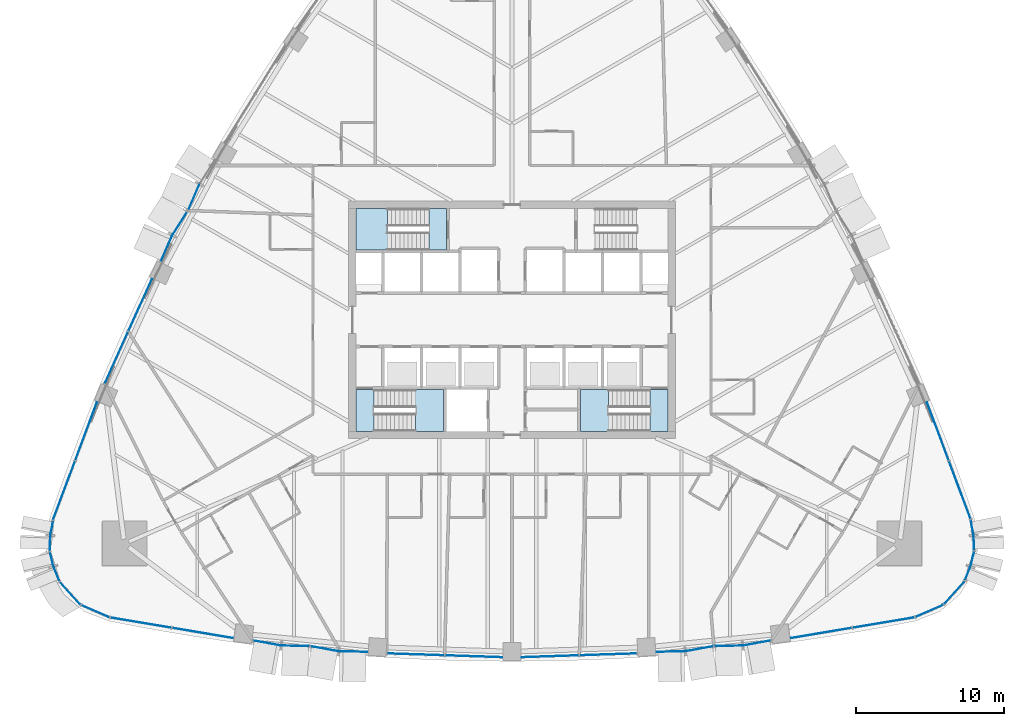
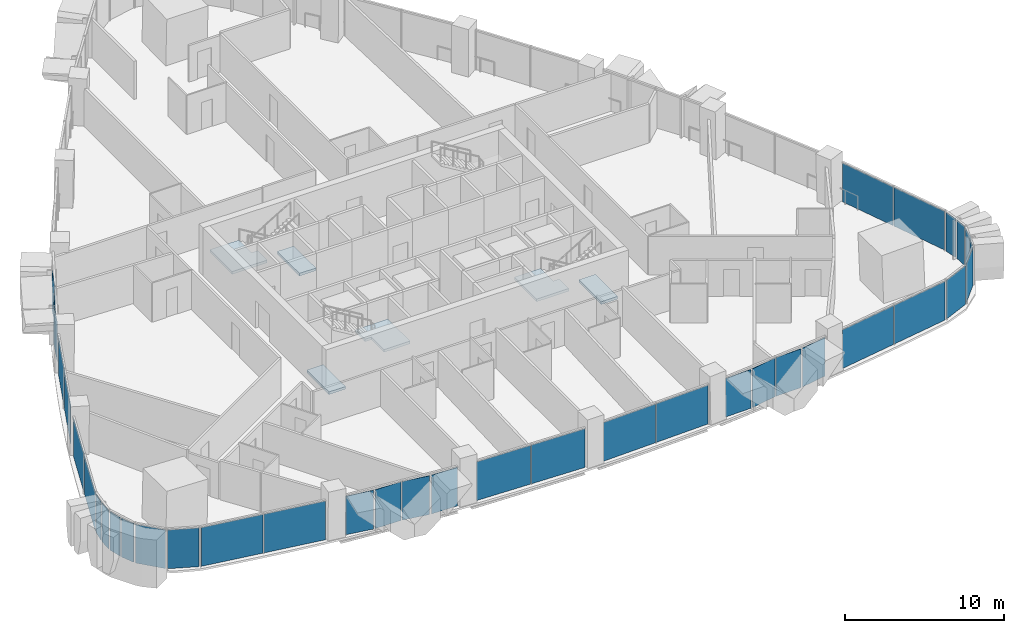
# One storey, part 8 of 18: 37 plates, 6 slabs, 21 elements without a shape of their own.
"""IFC4 building model written with IfcOpenShell, lengths in metres."""

from ifc_helpers import new_model, si_unit, direction, frame, origin, origin_2d, place, context, subcontext, project, spatial, polyline, rectangle, outline, extrude, material, layer, layer_set, type_object, element, aggregate, save


model = new_model("IFC4")

# Units and contexts
model_context = context("Model", 3, precision=1e-05, world=origin(), true_north=direction((0.0, 1.0)))
body_context = subcontext(model_context, "Body", "Model", "MODEL_VIEW")
ifc_project = project(units=[si_unit("LENGTHUNIT", "METRE"), si_unit("AREAUNIT", "SQUARE_METRE"), si_unit("VOLUMEUNIT", "CUBIC_METRE"), si_unit("PLANEANGLEUNIT", "RADIAN"), si_unit("MASSUNIT", "GRAM", prefix="KILO")], contexts=[model_context])

# Site, building, storey
site_placement = place(None, origin())
site = spatial("IfcSite", under=ifc_project, at=site_placement, CompositionType="ELEMENT")
building_placement = place(site_placement, origin())
building = spatial("IfcBuilding", under=site, at=building_placement, Name="Sierra Prisma Convention Tower", CompositionType="ELEMENT")
storey_placement = place(building_placement, frame((0.0, 0.0, 85.0)))
storey = spatial("IfcBuildingStorey", under=building, at=storey_placement, Name="L17", CompositionType="ELEMENT", Elevation=85.0)

# Curtain wall, plates
ifc_material_1 = material(Name="Aluminium and glass curtain wall", Category="aluminium")
ifc_layer_1 = layer(ifc_material_1, 0.179931640625)
ifc_layer_set_1 = layer_set([ifc_layer_1], Name="CW-1 Plain shaft curtain wall")
curtain_wall_type_1 = type_object("IfcCurtainWallType", Name="CW-1 Plain shaft curtain wall", PredefinedType="NOTDEFINED", material=ifc_layer_set_1)
curtain_wall_1_placement = place(storey_placement, origin())
curtain_wall_1 = element("IfcCurtainWall", 1, at=curtain_wall_1_placement, inside=storey, type_object=curtain_wall_type_1, Name="CW-1 S1 L17", PredefinedType="NOTDEFINED")
ifc_material_2 = material(Name="Tinted glass bronze-grey IGU", Category="glass")
ifc_layer_2 = layer(ifc_material_2, 0.028076171875)
ifc_layer_set_2 = layer_set([ifc_layer_2], Name="CW-1 glass panel")
plate_type_1 = type_object("IfcPlateType", Name="CW-1 glass panel", PredefinedType="CURTAIN_PANEL", material=ifc_layer_set_2)
plate_1_placement = place(storey_placement, frame((-25.000244140625, -20.392822265625, 0.0), z_axis=(0.0, 0.0, 1.0), x_axis=(0.98626859495, -0.165149201073, 0.0)))
plate_1 = element("IfcPlate", 2, at=plate_1_placement, type_object=plate_type_1, Name="CW-1 panel S1.1", PredefinedType="CURTAIN_PANEL", context=body_context, shape_type="SweptSolid", body=[
    extrude(rectangle(XDim=4.142822265625, YDim=0.028076171875, at=origin_2d()), origin(), (0.0, 0.0, 1.0), 2.97998046875),
])
plate_2_placement = place(storey_placement, frame((-20.84521484375, -21.088623046875, 0.0), z_axis=(0.0, 0.0, 1.0), x_axis=(0.98626859495, -0.165149201073, 0.0)))
plate_2 = element("IfcPlate", 3, at=plate_2_placement, type_object=plate_type_1, Name="CW-1 panel S1.2", PredefinedType="CURTAIN_PANEL", context=body_context, shape_type="SweptSolid", body=[
    extrude(rectangle(XDim=4.142822265625, YDim=0.028076171875, at=origin_2d()), origin(), (0.0, 0.0, 1.0), 2.97998046875),
])
aggregate(curtain_wall_1, [plate_1, plate_2])

curtain_wall_2_placement = place(storey_placement, origin())
curtain_wall_2 = element("IfcCurtainWall", 4, at=curtain_wall_2_placement, inside=storey, type_object=curtain_wall_type_1, Name="CW-1 S3 L17", PredefinedType="NOTDEFINED")
plate_3_placement = place(storey_placement, frame((-6.490966796875, -22.53173828125, 0.0), z_axis=(0.0, 0.0, 1.0), x_axis=(0.999449532675, -0.033175768817, 0.0)))
plate_3 = element("IfcPlate", 5, at=plate_3_placement, type_object=plate_type_1, Name="CW-1 panel S3.1", PredefinedType="CURTAIN_PANEL", context=body_context, shape_type="SweptSolid", body=[
    extrude(rectangle(XDim=3.83642578125, YDim=0.028076171875, at=origin_2d()), origin(), (0.0, 0.0, 1.0), 2.97998046875),
])
plate_4_placement = place(storey_placement, frame((-2.586669921875, -22.661376953125, 0.0), z_axis=(0.0, 0.0, 1.0), x_axis=(0.999449532675, -0.033175768817, 0.0)))
plate_4 = element("IfcPlate", 6, at=plate_4_placement, type_object=plate_type_1, Name="CW-1 panel S3.2", PredefinedType="CURTAIN_PANEL", context=body_context, shape_type="SweptSolid", body=[
    extrude(rectangle(XDim=3.83642578125, YDim=0.028076171875, at=origin_2d()), origin(), (0.0, 0.0, 1.0), 2.97998046875),
])
aggregate(curtain_wall_2, [plate_3, plate_4])

curtain_wall_3_placement = place(storey_placement, origin())
curtain_wall_3 = element("IfcCurtainWall", 7, at=curtain_wall_3_placement, inside=storey, type_object=curtain_wall_type_1, Name="CW-1 S4 L17", PredefinedType="NOTDEFINED")
plate_5_placement = place(storey_placement, frame((2.586669921875, -22.661376953125, 0.0), z_axis=(0.0, 0.0, 1.0), x_axis=(0.999449532675, 0.033175768817, 0.0)))
plate_5 = element("IfcPlate", 8, at=plate_5_placement, type_object=plate_type_1, Name="CW-1 panel S4.1", PredefinedType="CURTAIN_PANEL", context=body_context, shape_type="SweptSolid", body=[
    extrude(rectangle(XDim=3.83642578125, YDim=0.028076171875, at=origin_2d()), origin(), (0.0, 0.0, 1.0), 2.97998046875),
])
plate_6_placement = place(storey_placement, frame((6.490966796875, -22.53173828125, 0.0), z_axis=(0.0, 0.0, 1.0), x_axis=(0.999449532675, 0.033175768817, 0.0)))
plate_6 = element("IfcPlate", 9, at=plate_6_placement, type_object=plate_type_1, Name="CW-1 panel S4.2", PredefinedType="CURTAIN_PANEL", context=body_context, shape_type="SweptSolid", body=[
    extrude(rectangle(XDim=3.83642578125, YDim=0.028076171875, at=origin_2d()), origin(), (0.0, 0.0, 1.0), 2.97998046875),
])
aggregate(curtain_wall_3, [plate_5, plate_6])

curtain_wall_4_placement = place(storey_placement, origin())
curtain_wall_4 = element("IfcCurtainWall", 10, at=curtain_wall_4_placement, inside=storey, type_object=curtain_wall_type_1, Name="CW-1 S6 L17", PredefinedType="NOTDEFINED")
plate_7_placement = place(storey_placement, frame((20.84521484375, -21.088623046875, 0.0), z_axis=(0.0, 0.0, 1.0), x_axis=(0.98626859495, 0.165149201073, 0.0)))
plate_7 = element("IfcPlate", 11, at=plate_7_placement, type_object=plate_type_1, Name="CW-1 panel S6.1", PredefinedType="CURTAIN_PANEL", context=body_context, shape_type="SweptSolid", body=[
    extrude(rectangle(XDim=4.142822265625, YDim=0.028076171875, at=origin_2d()), origin(), (0.0, 0.0, 1.0), 2.97998046875),
])
plate_8_placement = place(storey_placement, frame((25.000244140625, -20.392822265625, 0.0), z_axis=(0.0, 0.0, 1.0), x_axis=(0.98626859495, 0.165149201073, 0.0)))
plate_8 = element("IfcPlate", 12, at=plate_8_placement, type_object=plate_type_1, Name="CW-1 panel S6.2", PredefinedType="CURTAIN_PANEL", context=body_context, shape_type="SweptSolid", body=[
    extrude(rectangle(XDim=4.142822265625, YDim=0.028076171875, at=origin_2d()), origin(), (0.0, 0.0, 1.0), 2.97998046875),
])
aggregate(curtain_wall_4, [plate_7, plate_8])

# Curtain wall, plate
curtain_wall_5_placement = place(storey_placement, origin())
curtain_wall_5 = element("IfcCurtainWall", 13, at=curtain_wall_5_placement, inside=storey, type_object=curtain_wall_type_1, Name="CW-1 SE1 L17", PredefinedType="NOTDEFINED")
plate_9_placement = place(storey_placement, frame((28.08935546875, -19.61328125, 0.0), z_axis=(0.0, 0.0, 1.0), x_axis=(0.91667470572, 0.399634187592, 0.0)))
plate_9 = element("IfcPlate", 14, at=plate_9_placement, type_object=plate_type_1, Name="CW-1 panel SE1.1", PredefinedType="CURTAIN_PANEL", context=body_context, shape_type="SweptSolid", body=[
    extrude(rectangle(XDim=1.991455078125, YDim=0.028076171875, at=origin_2d()), origin(), (0.0, 0.0, 1.0), 2.97998046875),
])
aggregate(curtain_wall_5, [plate_9])

curtain_wall_6_placement = place(storey_placement, origin())
curtain_wall_6 = element("IfcCurtainWall", 15, at=curtain_wall_6_placement, inside=storey, type_object=curtain_wall_type_1, Name="CW-1 SE2 L17", PredefinedType="NOTDEFINED")
plate_10_placement = place(storey_placement, frame((29.78125, -18.397216796875, 0.0), z_axis=(0.0, 0.0, 1.0), x_axis=(0.671050948421, 0.741411238533, 0.0)))
plate_10 = element("IfcPlate", 16, at=plate_10_placement, type_object=plate_type_1, Name="CW-1 panel SE2.1", PredefinedType="CURTAIN_PANEL", context=body_context, shape_type="SweptSolid", body=[
    extrude(rectangle(XDim=1.991455078125, YDim=0.028076171875, at=origin_2d()), origin(), (0.0, 0.0, 1.0), 2.97998046875),
])
aggregate(curtain_wall_6, [plate_10])

# Curtain wall, plates
curtain_wall_7_placement = place(storey_placement, origin())
curtain_wall_7 = element("IfcCurtainWall", 17, at=curtain_wall_7_placement, inside=storey, type_object=curtain_wall_type_1, Name="CW-1 NE1 L17", PredefinedType="NOTDEFINED")
plate_11_placement = place(storey_placement, frame((30.160888671875, -11.454345703125, 0.0), z_axis=(0.0, 0.0, 1.0), x_axis=(-0.350110893931, 0.936708258718, 0.0)))
plate_11 = element("IfcPlate", 18, at=plate_11_placement, type_object=plate_type_1, Name="CW-1 panel NE1.1", PredefinedType="CURTAIN_PANEL", context=body_context, shape_type="SweptSolid", body=[
    extrude(rectangle(XDim=4.142822265625, YDim=0.028076171875, at=origin_2d()), origin(), (0.0, 0.0, 1.0), 2.97998046875),
])
plate_12_placement = place(storey_placement, frame((28.68603515625, -7.50830078125, 0.0), z_axis=(0.0, 0.0, 1.0), x_axis=(-0.350110893931, 0.936708258718, 0.0)))
plate_12 = element("IfcPlate", 19, at=plate_12_placement, type_object=plate_type_1, Name="CW-1 panel NE1.2", PredefinedType="CURTAIN_PANEL", context=body_context, shape_type="SweptSolid", body=[
    extrude(rectangle(XDim=4.142822265625, YDim=0.028076171875, at=origin_2d()), origin(), (0.0, 0.0, 1.0), 2.97998046875),
])
aggregate(curtain_wall_7, [plate_11, plate_12])

curtain_wall_8_placement = place(storey_placement, origin())
curtain_wall_8 = element("IfcCurtainWall", 20, at=curtain_wall_8_placement, inside=storey, type_object=curtain_wall_type_1, Name="CW-1 NW5 L17", PredefinedType="NOTDEFINED")
plate_13_placement = place(storey_placement, frame((-25.045166015625, 0.998291015625, 0.0), z_axis=(0.0, 0.0, 1.0), x_axis=(-0.411458028296, -0.91142870865, 0.0)))
plate_13 = element("IfcPlate", 21, at=plate_13_placement, type_object=plate_type_1, Name="CW-1 panel NW5.1", PredefinedType="CURTAIN_PANEL", context=body_context, shape_type="SweptSolid", body=[
    extrude(rectangle(XDim=3.8203125, YDim=0.028076171875, at=origin_2d()), origin(), (0.0, 0.0, 1.0), 2.97998046875),
])
plate_14_placement = place(storey_placement, frame((-26.64599609375, -2.54736328125, 0.0), z_axis=(0.0, 0.0, 1.0), x_axis=(-0.411458028296, -0.91142870865, 0.0)))
plate_14 = element("IfcPlate", 22, at=plate_14_placement, type_object=plate_type_1, Name="CW-1 panel NW5.2", PredefinedType="CURTAIN_PANEL", context=body_context, shape_type="SweptSolid", body=[
    extrude(rectangle(XDim=3.8203125, YDim=0.028076171875, at=origin_2d()), origin(), (0.0, 0.0, 1.0), 2.97998046875),
])
aggregate(curtain_wall_8, [plate_13, plate_14])

curtain_wall_9_placement = place(storey_placement, origin())
curtain_wall_9 = element("IfcCurtainWall", 23, at=curtain_wall_9_placement, inside=storey, type_object=curtain_wall_type_1, Name="CW-1 NW6 L17", PredefinedType="NOTDEFINED")
plate_15_placement = place(storey_placement, frame((-28.68603515625, -7.50830078125, 0.0), z_axis=(0.0, 0.0, 1.0), x_axis=(-0.350110893931, -0.936708258718, 0.0)))
plate_15 = element("IfcPlate", 24, at=plate_15_placement, type_object=plate_type_1, Name="CW-1 panel NW6.1", PredefinedType="CURTAIN_PANEL", context=body_context, shape_type="SweptSolid", body=[
    extrude(rectangle(XDim=4.142822265625, YDim=0.028076171875, at=origin_2d()), origin(), (0.0, 0.0, 1.0), 2.97998046875),
])
plate_16_placement = place(storey_placement, frame((-30.160888671875, -11.454345703125, 0.0), z_axis=(0.0, 0.0, 1.0), x_axis=(-0.350110893931, -0.936708258718, 0.0)))
plate_16 = element("IfcPlate", 25, at=plate_16_placement, type_object=plate_type_1, Name="CW-1 panel NW6.2", PredefinedType="CURTAIN_PANEL", context=body_context, shape_type="SweptSolid", body=[
    extrude(rectangle(XDim=4.142822265625, YDim=0.028076171875, at=origin_2d()), origin(), (0.0, 0.0, 1.0), 2.97998046875),
])
aggregate(curtain_wall_9, [plate_15, plate_16])

# Curtain wall, plate
curtain_wall_10_placement = place(storey_placement, origin())
curtain_wall_10 = element("IfcCurtainWall", 26, at=curtain_wall_10_placement, inside=storey, type_object=curtain_wall_type_1, Name="CW-1 SW3 L17", PredefinedType="NOTDEFINED")
plate_17_placement = place(storey_placement, frame((-29.78125, -18.397216796875, 0.0), z_axis=(0.0, 0.0, 1.0), x_axis=(0.671050948421, -0.741411238533, 0.0)))
plate_17 = element("IfcPlate", 27, at=plate_17_placement, type_object=plate_type_1, Name="CW-1 panel SW3.1", PredefinedType="CURTAIN_PANEL", context=body_context, shape_type="SweptSolid", body=[
    extrude(rectangle(XDim=1.991455078125, YDim=0.028076171875, at=origin_2d()), origin(), (0.0, 0.0, 1.0), 2.97998046875),
])
aggregate(curtain_wall_10, [plate_17])

curtain_wall_11_placement = place(storey_placement, origin())
curtain_wall_11 = element("IfcCurtainWall", 28, at=curtain_wall_11_placement, inside=storey, type_object=curtain_wall_type_1, Name="CW-1 SW4 L17", PredefinedType="NOTDEFINED")
plate_18_placement = place(storey_placement, frame((-28.08935546875, -19.61328125, 0.0), z_axis=(0.0, 0.0, 1.0), x_axis=(0.91667470572, -0.399634187592, 0.0)))
plate_18 = element("IfcPlate", 29, at=plate_18_placement, type_object=plate_type_1, Name="CW-1 panel SW4.1", PredefinedType="CURTAIN_PANEL", context=body_context, shape_type="SweptSolid", body=[
    extrude(rectangle(XDim=1.991455078125, YDim=0.028076171875, at=origin_2d()), origin(), (0.0, 0.0, 1.0), 2.97998046875),
])
aggregate(curtain_wall_11, [plate_18])

# Curtain wall, plates
ifc_material_3 = material(Name="Aluminium and glass curtain wall", Category="aluminium")
ifc_layer_3 = layer(ifc_material_3, 0.179931640625)
ifc_layer_set_3 = layer_set([ifc_layer_3], Name="CW-2 Faceted crystal curtain wall")
curtain_wall_type_2 = type_object("IfcCurtainWallType", Name="CW-2 Faceted crystal curtain wall", PredefinedType="NOTDEFINED", material=ifc_layer_set_3)
curtain_wall_12_placement = place(storey_placement, origin())
curtain_wall_12 = element("IfcCurtainWall", 30, at=curtain_wall_12_placement, inside=storey, type_object=curtain_wall_type_2, Name="CW-2 S2 L17", PredefinedType="NOTDEFINED")
ifc_material_4 = material(Name="Tinted glass bronze-grey IGU", Category="glass")
ifc_layer_4 = layer(ifc_material_4, 0.028076171875)
ifc_layer_set_4 = layer_set([ifc_layer_4], Name="CW-2 crystal pane")
plate_type_2 = type_object("IfcPlateType", Name="CW-2 crystal pane", PredefinedType="CURTAIN_PANEL", material=ifc_layer_set_4)
plate_19_placement = place(storey_placement, frame((-17.4296875, -21.612548828125, 0.0), z_axis=(-0.177132557643, -0.984187003076, 0.0), x_axis=(0.984187003076, -0.177132557643, 0.0)))
plate_19 = element("IfcPlate", 31, at=plate_19_placement, type_object=plate_type_2, Name="CW-2 pane S2.1.1", PredefinedType="CURTAIN_PANEL", context=body_context, shape_type="SweptSolid", body=[
    extrude(outline(polyline([(0.0, 0.0), (1.8510479594395424, 0.0), (1.8510479594395424, 2.97998046875), (0.0, 2.97998046875), (0.0, 0.0)])), origin(), (0.0, 0.0, -1.0), 0.028076171875),
])
plate_20_placement = place(storey_placement, frame((-13.62841796875, -21.9921875, 0.0), z_axis=(-0.020971640011, -0.999780070973, 0.0), x_axis=(-0.999780070973, 0.020971640011, 0.0)))
plate_20 = element("IfcPlate", 32, at=plate_20_placement, type_object=plate_type_2, Name="CW-2 pane S2.1.2", PredefinedType="CURTAIN_PANEL", context=body_context, shape_type="SweptSolid", body=[
    extrude(outline(polyline([(0.0, 0.0), (1.8509930245944528, 0.0), (1.8509930245944528, -2.97998046875), (0.0, -2.97998046875), (0.0, 0.0)])), origin(), (0.0, 0.0, -1.0), 0.028076171875),
])
plate_21_placement = place(storey_placement, frame((-13.558837890625, -21.9990234375, 0.0), z_axis=(-0.177260308084, -0.984164002175, 0.0), x_axis=(0.984164002175, -0.177260308084, 0.0)))
plate_21 = element("IfcPlate", 33, at=plate_21_placement, type_object=plate_type_2, Name="CW-2 pane S2.2.1", PredefinedType="CURTAIN_PANEL", context=body_context, shape_type="SweptSolid", body=[
    extrude(outline(polyline([(0.0, 0.0), (1.851091220287592, 0.0), (1.851091220287592, 2.97998046875), (0.0, 2.97998046875), (0.0, 0.0)])), origin(), (0.0, 0.0, -1.0), 0.028076171875),
])
plate_22_placement = place(storey_placement, frame((-9.75732421875, -22.37890625, 0.0), z_axis=(-0.021100696067, -0.999777355527, 0.0), x_axis=(-0.999777355527, 0.021100696067, 0.0)))
plate_22 = element("IfcPlate", 34, at=plate_22_placement, type_object=plate_type_2, Name="CW-2 pane S2.2.2", PredefinedType="CURTAIN_PANEL", context=body_context, shape_type="SweptSolid", body=[
    extrude(outline(polyline([(0.0, 0.0), (1.8512422469786185, 0.0), (1.8512422469786185, -2.97998046875), (0.0, -2.97998046875), (0.0, 0.0)])), origin(), (0.0, 0.0, -1.0), 0.028076171875),
])
aggregate(curtain_wall_12, [plate_19, plate_20, plate_21, plate_22])

curtain_wall_13_placement = place(storey_placement, origin())
curtain_wall_13 = element("IfcCurtainWall", 35, at=curtain_wall_13_placement, inside=storey, type_object=curtain_wall_type_2, Name="CW-2 S5 L17", PredefinedType="NOTDEFINED")
plate_23_placement = place(storey_placement, frame((9.75732421875, -22.37890625, 0.0), z_axis=(0.021100696067, -0.999777355527, 0.0), x_axis=(0.999777355527, 0.021100696067, 0.0)))
plate_23 = element("IfcPlate", 36, at=plate_23_placement, type_object=plate_type_2, Name="CW-2 pane S5.1.1", PredefinedType="CURTAIN_PANEL", context=body_context, shape_type="SweptSolid", body=[
    extrude(outline(polyline([(0.0, 0.0), (1.8512422469786185, 0.0), (1.8512422469786185, 2.97998046875), (0.0, 2.97998046875), (0.0, 0.0)])), origin(), (0.0, 0.0, -1.0), 0.028076171875),
])
plate_24_placement = place(storey_placement, frame((13.558837890625, -21.9990234375, 0.0), z_axis=(0.177260308084, -0.984164002175, 0.0), x_axis=(-0.984164002175, -0.177260308084, 0.0)))
plate_24 = element("IfcPlate", 37, at=plate_24_placement, type_object=plate_type_2, Name="CW-2 pane S5.1.2", PredefinedType="CURTAIN_PANEL", context=body_context, shape_type="SweptSolid", body=[
    extrude(outline(polyline([(0.0, 0.0), (1.851091220287592, 0.0), (1.851091220287592, -2.97998046875), (0.0, -2.97998046875), (0.0, 0.0)])), origin(), (0.0, 0.0, -1.0), 0.028076171875),
])
plate_25_placement = place(storey_placement, frame((13.62841796875, -21.9921875, 0.0), z_axis=(0.020971640011, -0.999780070973, 0.0), x_axis=(0.999780070973, 0.020971640011, 0.0)))
plate_25 = element("IfcPlate", 38, at=plate_25_placement, type_object=plate_type_2, Name="CW-2 pane S5.2.1", PredefinedType="CURTAIN_PANEL", context=body_context, shape_type="SweptSolid", body=[
    extrude(outline(polyline([(0.0, 0.0), (1.8509930245944528, 0.0), (1.8509930245944528, 2.97998046875), (0.0, 2.97998046875), (0.0, 0.0)])), origin(), (0.0, 0.0, -1.0), 0.028076171875),
])
plate_26_placement = place(storey_placement, frame((17.4296875, -21.612548828125, 0.0), z_axis=(0.177132557643, -0.984187003076, 0.0), x_axis=(-0.984187003076, -0.177132557643, 0.0)))
plate_26 = element("IfcPlate", 39, at=plate_26_placement, type_object=plate_type_2, Name="CW-2 pane S5.2.2", PredefinedType="CURTAIN_PANEL", context=body_context, shape_type="SweptSolid", body=[
    extrude(outline(polyline([(0.0, 0.0), (1.8510479594395424, 0.0), (1.8510479594395424, -2.97998046875), (0.0, -2.97998046875), (0.0, 0.0)])), origin(), (0.0, 0.0, -1.0), 0.028076171875),
])
aggregate(curtain_wall_13, [plate_23, plate_24, plate_25, plate_26])

curtain_wall_14_placement = place(storey_placement, origin())
curtain_wall_14 = element("IfcCurtainWall", 40, at=curtain_wall_14_placement, inside=storey, type_object=curtain_wall_type_2, Name="CW-2 SE3 L17", PredefinedType="NOTDEFINED")
plate_27_placement = place(storey_placement, frame((30.51806640625, -17.54052734375, 0.0), z_axis=(0.924899978019, -0.380210508352, 0.0), x_axis=(0.380210508352, 0.924899978019, 0.0)))
plate_27 = element("IfcPlate", 41, at=plate_27_placement, type_object=plate_type_2, Name="CW-2 pane SE3.1.1", PredefinedType="CURTAIN_PANEL", context=body_context, shape_type="SweptSolid", body=[
    extrude(outline(polyline([(0.0, 0.0), (0.9336419192859908, 0.0), (0.9336419192859908, 2.97998046875), (0.0, 2.97998046875), (0.0, 0.0)])), origin(), (0.0, 0.0, -1.0), 0.028076171875),
])
plate_28_placement = place(storey_placement, frame((31.12841796875, -15.64501953125, 0.0), z_axis=(0.972979888562, -0.230889879495, 0.0), x_axis=(-0.230889879495, -0.972979888562, 0.0)))
plate_28 = element("IfcPlate", 42, at=plate_28_placement, type_object=plate_type_2, Name="CW-2 pane SE3.1.2", PredefinedType="CURTAIN_PANEL", context=body_context, shape_type="SweptSolid", body=[
    extrude(outline(polyline([(0.0, 0.0), (0.9336752756187876, 0.0), (0.9336752756187876, -2.97998046875), (0.0, -2.97998046875), (0.0, 0.0)])), origin(), (0.0, 0.0, -1.0), 0.028076171875),
])
aggregate(curtain_wall_14, [plate_27, plate_28])

curtain_wall_15_placement = place(storey_placement, origin())
curtain_wall_15 = element("IfcCurtainWall", 43, at=curtain_wall_15_placement, inside=storey, type_object=curtain_wall_type_2, Name="CW-2 SE4 L17", PredefinedType="NOTDEFINED")
plate_29_placement = place(storey_placement, frame((31.14208984375, -15.5087890625, 0.0), z_axis=(0.999422340826, 0.033985065213, 0.0), x_axis=(-0.033985065213, 0.999422340826, 0.0)))
plate_29 = element("IfcPlate", 44, at=plate_29_placement, type_object=plate_type_2, Name="CW-2 pane SE4.1.1", PredefinedType="CURTAIN_PANEL", context=body_context, shape_type="SweptSolid", body=[
    extrude(outline(polyline([(0.0, 0.0), (0.9338890789687869, 0.0), (0.9338890789687869, 2.97998046875), (0.0, 2.97998046875), (0.0, 0.0)])), origin(), (0.0, 0.0, -1.0), 0.028076171875),
])
plate_30_placement = place(storey_placement, frame((30.91845703125, -13.52978515625, 0.0), z_axis=(0.981778277502, 0.190030034011, 0.0), x_axis=(0.190030034011, -0.981778277502, 0.0)))
plate_30 = element("IfcPlate", 45, at=plate_30_placement, type_object=plate_type_2, Name="CW-2 pane SE4.1.2", PredefinedType="CURTAIN_PANEL", context=body_context, shape_type="SweptSolid", body=[
    extrude(outline(polyline([(0.0, 0.0), (0.9340114856009682, 0.0), (0.9340114856009682, -2.97998046875), (0.0, -2.97998046875), (0.0, 0.0)])), origin(), (0.0, 0.0, -1.0), 0.028076171875),
])
aggregate(curtain_wall_15, [plate_29, plate_30])

curtain_wall_16_placement = place(storey_placement, origin())
curtain_wall_16 = element("IfcCurtainWall", 46, at=curtain_wall_16_placement, inside=storey, type_object=curtain_wall_type_2, Name="CW-2 NW4 L17", PredefinedType="NOTDEFINED")
plate_31_placement = place(storey_placement, frame((-21.822021484375, 7.398193359375, 0.0), z_axis=(-0.916413310162, 0.400233238197, 0.0), x_axis=(0.400233238197, 0.916413310162, 0.0)))
plate_31 = element("IfcPlate", 47, at=plate_31_placement, type_object=plate_type_2, Name="CW-2 pane NW4.1.2", PredefinedType="CURTAIN_PANEL", context=body_context, shape_type="SweptSolid", body=[
    extrude(outline(polyline([(0.0, 0.0), (1.8592674320425002, 0.0), (1.8592674320425002, -2.9799804687500004), (0.0, -2.9799804687500004), (0.0, 0.0)])), origin(), (0.0, 0.0, -1.0), 0.028076171875),
])
plate_32_placement = place(storey_placement, frame((-21.85498046875, 7.33642578125, 0.0), z_axis=(-0.842426387617, 0.538811452594, 0.0), x_axis=(-0.538811452594, -0.842426387617, 0.0)))
plate_32 = element("IfcPlate", 48, at=plate_32_placement, type_object=plate_type_2, Name="CW-2 pane NW4.2.1", PredefinedType="CURTAIN_PANEL", context=body_context, shape_type="SweptSolid", body=[
    extrude(outline(polyline([(0.0, 0.0), (1.8591085611710638, 0.0), (1.8591085611710638, 2.97998046875), (0.0, 2.97998046875), (0.0, 0.0)])), origin(), (0.0, 0.0, -1.0), 0.028076171875),
])
plate_33_placement = place(storey_placement, frame((-23.662109375, 3.952392578125, 0.0), z_axis=(-0.916344095845, 0.400391680744, 0.0), x_axis=(0.400391680744, 0.916344095845, 0.0)))
plate_33 = element("IfcPlate", 49, at=plate_33_placement, type_object=plate_type_2, Name="CW-2 pane NW4.2.2", PredefinedType="CURTAIN_PANEL", context=body_context, shape_type="SweptSolid", body=[
    extrude(outline(polyline([(0.0, 0.0), (1.8591414393063208, 0.0), (1.8591414393063208, -2.97998046875), (0.0, -2.97998046875), (0.0, 0.0)])), origin(), (0.0, 0.0, -1.0), 0.028076171875),
])
aggregate(curtain_wall_16, [plate_31, plate_32, plate_33])

curtain_wall_17_placement = place(storey_placement, origin())
curtain_wall_17 = element("IfcCurtainWall", 50, at=curtain_wall_17_placement, inside=storey, type_object=curtain_wall_type_2, Name="CW-2 SW1 L17", PredefinedType="NOTDEFINED")
plate_34_placement = place(storey_placement, frame((-30.91845703125, -13.52978515625, 0.0), z_axis=(-0.981778277502, 0.190030034011, 0.0), x_axis=(-0.190030034011, -0.981778277502, 0.0)))
plate_34 = element("IfcPlate", 51, at=plate_34_placement, type_object=plate_type_2, Name="CW-2 pane SW1.1.1", PredefinedType="CURTAIN_PANEL", context=body_context, shape_type="SweptSolid", body=[
    extrude(outline(polyline([(0.0, 0.0), (0.9340114856009682, 0.0), (0.9340114856009682, 2.97998046875), (0.0, 2.97998046875), (0.0, 0.0)])), origin(), (0.0, 0.0, -1.0), 0.028076171875),
])
plate_35_placement = place(storey_placement, frame((-31.14208984375, -15.5087890625, 0.0), z_axis=(-0.999422340826, 0.033985065213, 0.0), x_axis=(0.033985065213, 0.999422340826, 0.0)))
plate_35 = element("IfcPlate", 52, at=plate_35_placement, type_object=plate_type_2, Name="CW-2 pane SW1.1.2", PredefinedType="CURTAIN_PANEL", context=body_context, shape_type="SweptSolid", body=[
    extrude(outline(polyline([(0.0, 0.0), (0.9338890789687869, 0.0), (0.9338890789687869, -2.97998046875), (0.0, -2.97998046875), (0.0, 0.0)])), origin(), (0.0, 0.0, -1.0), 0.028076171875),
])
aggregate(curtain_wall_17, [plate_34, plate_35])

curtain_wall_18_placement = place(storey_placement, origin())
curtain_wall_18 = element("IfcCurtainWall", 53, at=curtain_wall_18_placement, inside=storey, type_object=curtain_wall_type_2, Name="CW-2 SW2 L17", PredefinedType="NOTDEFINED")
plate_36_placement = place(storey_placement, frame((-31.12841796875, -15.64501953125, 0.0), z_axis=(-0.972979888562, -0.230889879495, 0.0), x_axis=(0.230889879495, -0.972979888562, 0.0)))
plate_36 = element("IfcPlate", 54, at=plate_36_placement, type_object=plate_type_2, Name="CW-2 pane SW2.1.1", PredefinedType="CURTAIN_PANEL", context=body_context, shape_type="SweptSolid", body=[
    extrude(outline(polyline([(0.0, 0.0), (0.9336752756187876, 0.0), (0.9336752756187876, 2.97998046875), (0.0, 2.97998046875), (0.0, 0.0)])), origin(), (0.0, 0.0, -1.0), 0.028076171875),
])
plate_37_placement = place(storey_placement, frame((-30.51806640625, -17.54052734375, 0.0), z_axis=(-0.924899978019, -0.380210508352, 0.0), x_axis=(-0.380210508352, 0.924899978019, 0.0)))
plate_37 = element("IfcPlate", 55, at=plate_37_placement, type_object=plate_type_2, Name="CW-2 pane SW2.1.2", PredefinedType="CURTAIN_PANEL", context=body_context, shape_type="SweptSolid", body=[
    extrude(outline(polyline([(0.0, 0.0), (0.9336419192859908, 0.0), (0.9336419192859908, -2.97998046875), (0.0, -2.97998046875), (0.0, 0.0)])), origin(), (0.0, 0.0, -1.0), 0.028076171875),
])
aggregate(curtain_wall_18, [plate_36, plate_37])

# Stair, slab
ifc_material_5 = material(Name="Concrete C30/37", Category="concrete")
stair_type = type_object("IfcStairType", Name="Stair dog-leg 1200 RC", PredefinedType="HALF_TURN_STAIR", material=ifc_material_5)
stair_1_placement = place(storey_placement, origin())
stair_1 = element("IfcStair", 56, at=stair_1_placement, inside=storey, type_object=stair_type, Name="L17 S1", PredefinedType="HALF_TURN_STAIR")
ifc_material_6 = material(Name="Concrete C35/45", Category="concrete")
ifc_layer_5 = layer(ifc_material_6, 0.199951171875)
ifc_layer_set_5 = layer_set([ifc_layer_5], Name="Stair landing slab")
slab_type = type_object("IfcSlabType", Name="Stair landing slab", PredefinedType="LANDING", material=ifc_layer_set_5)
slab_1_placement = place(storey_placement, frame((0.0, 0.0, 1.64990234375)))
slab_1 = element("IfcSlab", 57, at=slab_1_placement, type_object=slab_type, Name="S1 landing 1", PredefinedType="LANDING", context=body_context, shape_type="SweptSolid", body=[
    extrude(outline(polyline([(-4.60009765625, -4.699951171875), (-4.60009765625, -7.5), (-6.501953125, -7.5), (-6.501953125, -5.89990234375), (-6.949951171875, -5.89990234375), (-6.949951171875, -4.699951171875), (-4.60009765625, -4.699951171875)])), origin(), (0.0, 0.0, 1.0), 0.2001953125),
])
aggregate(stair_1, [slab_1])

# Slab
slab_2_placement = place(storey_placement, frame((0.0, 0.0, -0.199951171875)))
element("IfcSlab", 58, at=slab_2_placement, inside=storey, type_object=slab_type, Name="S1 floor landing L17", PredefinedType="LANDING", context=body_context, shape_type="SweptSolid", body=[
    extrude(outline(polyline([(-10.5, -7.5), (-9.298095703125, -7.5), (-9.298095703125, -4.699951171875), (-10.5, -4.699951171875), (-10.5, -7.5)])), origin(), (0.0, 0.0, 1.0), 0.199951171875),
])

# Stair, slab
stair_2_placement = place(storey_placement, origin())
stair_2 = element("IfcStair", 59, at=stair_2_placement, inside=storey, type_object=stair_type, Name="L17 S2", PredefinedType="HALF_TURN_STAIR")
slab_3_placement = place(storey_placement, frame((0.0, 0.0, 1.64990234375)))
slab_3 = element("IfcSlab", 60, at=slab_3_placement, type_object=slab_type, Name="S2 landing 1", PredefinedType="LANDING", context=body_context, shape_type="SweptSolid", body=[
    extrude(outline(polyline([(6.949951171875, -6.300048828125), (6.949951171875, -7.5), (4.60009765625, -7.5), (4.60009765625, -4.699951171875), (6.501953125, -4.699951171875), (6.501953125, -6.300048828125), (6.949951171875, -6.300048828125)])), origin(), (0.0, 0.0, 1.0), 0.2001953125),
])
aggregate(stair_2, [slab_3])

# Slab
slab_4_placement = place(storey_placement, frame((0.0, 0.0, -0.199951171875)))
element("IfcSlab", 61, at=slab_4_placement, inside=storey, type_object=slab_type, Name="S2 floor landing L17", PredefinedType="LANDING", context=body_context, shape_type="SweptSolid", body=[
    extrude(outline(polyline([(10.5, -4.699951171875), (9.298095703125, -4.699951171875), (9.298095703125, -7.5), (10.5, -7.5), (10.5, -4.699951171875)])), origin(), (0.0, 0.0, 1.0), 0.199951171875),
])

# Stair, slab
stair_3_placement = place(storey_placement, origin())
stair_3 = element("IfcStair", 62, at=stair_3_placement, inside=storey, type_object=stair_type, Name="L17 S3", PredefinedType="HALF_TURN_STAIR")
slab_5_placement = place(storey_placement, frame((0.0, 0.0, 1.64990234375)))
slab_5 = element("IfcSlab", 63, at=slab_5_placement, type_object=slab_type, Name="S3 landing 1", PredefinedType="LANDING", context=body_context, shape_type="SweptSolid", body=[
    extrude(outline(polyline([(-7.949951171875, 5.89990234375), (-7.949951171875, 4.699951171875), (-10.5, 4.699951171875), (-10.5, 7.5), (-8.39794921875, 7.5), (-8.39794921875, 5.89990234375), (-7.949951171875, 5.89990234375)])), origin(), (0.0, 0.0, 1.0), 0.2001953125),
])
aggregate(stair_3, [slab_5])

# Slab
slab_6_placement = place(storey_placement, frame((0.0, 0.0, -0.199951171875)))
element("IfcSlab", 64, at=slab_6_placement, inside=storey, type_object=slab_type, Name="S3 floor landing L17", PredefinedType="LANDING", context=body_context, shape_type="SweptSolid", body=[
    extrude(outline(polyline([(-4.39990234375, 7.5), (-5.60205078125, 7.5), (-5.60205078125, 4.699951171875), (-4.39990234375, 4.699951171875), (-4.39990234375, 7.5)])), origin(), (0.0, 0.0, 1.0), 0.199951171875),
])

save(model, "model.ifc")
